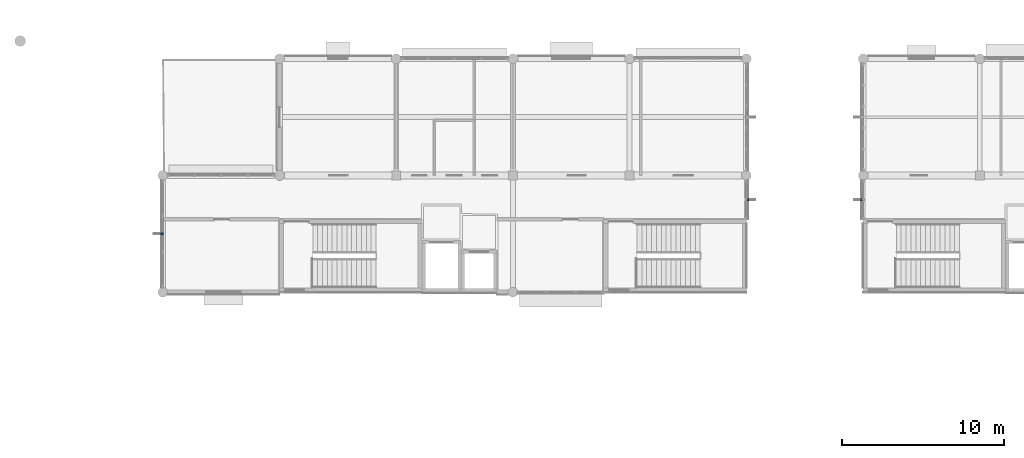
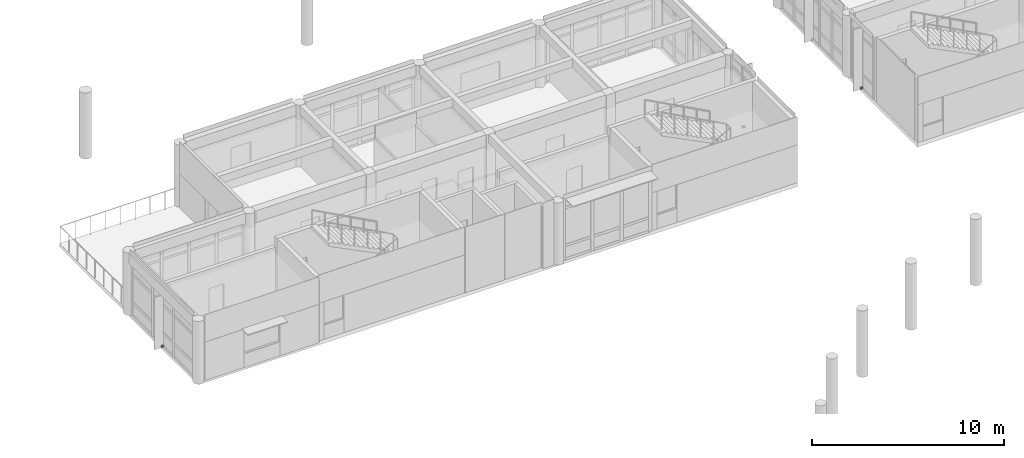
# One storey, part 18 of 29: 3 discrete accessories.
"""IFC4 building model written with IfcOpenShell, lengths in metres."""

from ifc_helpers import new_model, si_unit, direction, frame, origin, origin_2d, place, context, subcontext, project, spatial, rectangle, extrude, material, type_object, element, save


model = new_model("IFC4")

# Units and contexts
model_context = context("Model", 3, precision=1e-05, world=origin(), true_north=direction((0.0, 1.0)))
body_context = subcontext(model_context, "Body", "Model", "MODEL_VIEW")
ifc_project = project(units=[si_unit("LENGTHUNIT", "METRE"), si_unit("AREAUNIT", "SQUARE_METRE"), si_unit("VOLUMEUNIT", "CUBIC_METRE"), si_unit("PLANEANGLEUNIT", "RADIAN"), si_unit("MASSUNIT", "GRAM", prefix="KILO")], contexts=[model_context])

# Site, building, storey
site_placement = place(None, origin())
site = spatial("IfcSite", under=ifc_project, at=site_placement, CompositionType="ELEMENT")
building_placement = place(site_placement, origin())
building = spatial("IfcBuilding", under=site, at=building_placement, Name="Namkhue Oval Health Centre", CompositionType="ELEMENT")
storey_placement = place(building_placement, frame((0.0, 0.0, 18.0)))
storey = spatial("IfcBuildingStorey", under=building, at=storey_placement, Name="L04", CompositionType="ELEMENT", Elevation=18.0)

# Discrete accessories
ifc_material = material(Name="Structural steel S355JR (TCVN CCT38)", Category="steel")
discrete_accessory_type = type_object("IfcDiscreteAccessoryType", Name="FACADE SHADING BRACKET", PredefinedType="BRACKET", material=ifc_material)
for number, where, z_axis, x_axis, name in (
    (1, (86.4599609375, 95.70361328125, 0.0), (0.0, 0.0, 1.0), (1.0, 0.0, 0.0), "Solar Fin Bracket 101"),
    (2, (50.340087890625, 93.60009765625, 0.0), (0.0, 0.0, 1.0), (-1.0, 0.0, 0.0), "Solar Fin Bracket 108"),
    (3, (93.5400390625, 95.70361328125, 0.0), (0.0, 0.0, 1.0), (-1.0, 0.0, 0.0), "Solar Fin Bracket 171"),
):
    element("IfcDiscreteAccessory", number, at=place(storey_placement, frame(where, z_axis=z_axis, x_axis=x_axis)), inside=storey, type_object=discrete_accessory_type, Name=name, PredefinedType="BRACKET", context=body_context, shape_type="SweptSolid", body=[
        extrude(rectangle(XDim=0.159912109375, YDim=0.1201171875, at=origin_2d()), origin(), (0.0, 0.0, 1.0), 0.1201171875),
    ])

save(model, "model.ifc")
